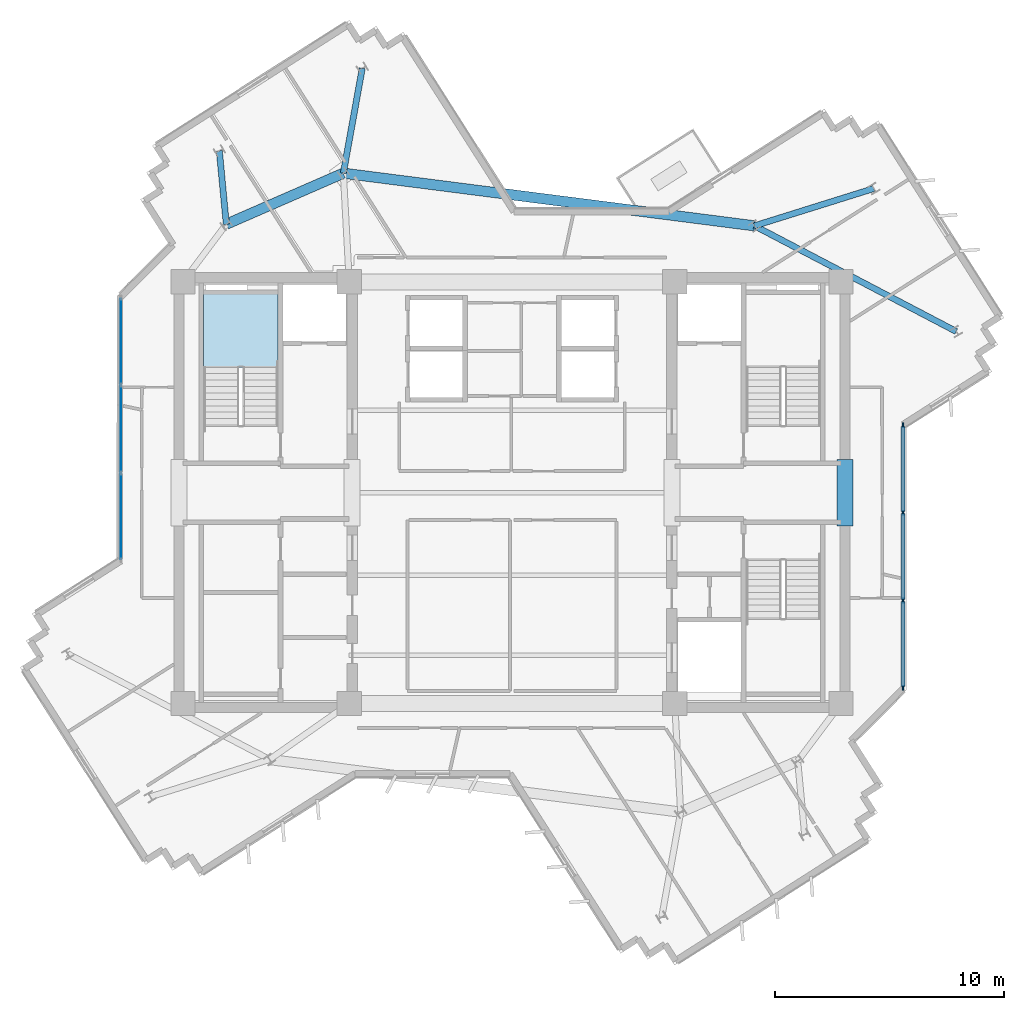
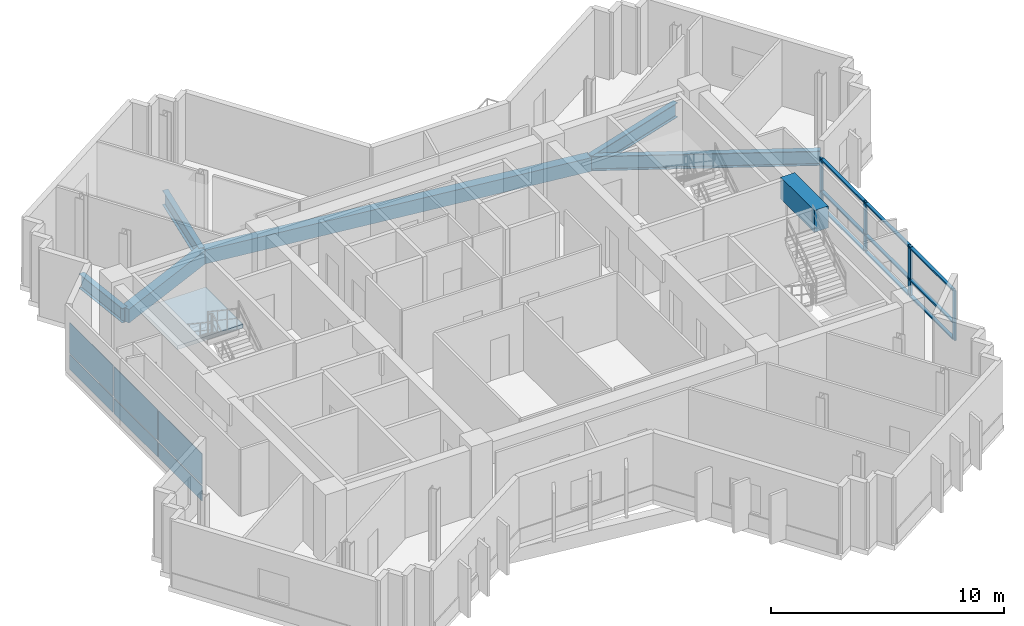
# One storey, part 3 of 12: 13 members, 7 beams, 6 plates, 1 slab, 3 elements without a shape of their own.
"""IFC4 building model written with IfcOpenShell, lengths in metres."""

from ifc_helpers import new_model, si_unit, direction, frame, origin, origin_2d, place, context, subcontext, project, spatial, polyline, rectangle, i_section, outline, extrude, source, transform, mapped, material, layer, layer_set, material_profile, profile_set, type_object, element, aggregate, save


model = new_model("IFC4")

# Units and contexts
model_context = context("Model", 3, precision=1e-05, world=origin(), true_north=direction((0.0, 1.0)))
body_context = subcontext(model_context, "Body", "Model", "MODEL_VIEW")
ifc_project = project(units=[si_unit("LENGTHUNIT", "METRE"), si_unit("AREAUNIT", "SQUARE_METRE"), si_unit("VOLUMEUNIT", "CUBIC_METRE"), si_unit("PLANEANGLEUNIT", "RADIAN"), si_unit("MASSUNIT", "GRAM", prefix="KILO")], contexts=[model_context])

# Site, building, storey
site_placement = place(None, origin())
site = spatial("IfcSite", under=ifc_project, at=site_placement, CompositionType="ELEMENT")
building_placement = place(site_placement, origin())
building = spatial("IfcBuilding", under=site, at=building_placement, Name="Zahravan Cultural Tower", CompositionType="ELEMENT")
storey_placement = place(building_placement, frame((0.0, 0.0, 269.10009765625)))
storey = spatial("IfcBuildingStorey", under=building, at=storey_placement, Name="L64", CompositionType="ELEMENT", Elevation=269.10009765625)

# Beams
ifc_material_1 = material(Name="Concrete C50/60", Category="concrete")
ifc_material_profile_1 = material_profile(ifc_material_1, rectangle(XDim=0.699951171875, YDim=1.14990234375, at=origin_2d()), Name="RC700X1150")
ifc_profile_set_1 = profile_set([ifc_material_profile_1], Name="Concrete C50/60")
beam_type_1 = type_object("IfcBeamType", Name="BM-LN-RC700X1150", PredefinedType="LINTEL", material=ifc_profile_set_1)
shared_shape_1 = source(origin(), body_context, "Body", "SweptSolid", [
    extrude(rectangle(XDim=0.699951171875, YDim=1.14990234375, at=origin_2d()), origin(), (0.0, 0.0, 1.0), 2.89990234375),
])
beam_1_placement = place(storey_placement, frame((50.52490234375, 25.550048828125, 2.9248046875), z_axis=(0.0, 1.0, 0.0), x_axis=(-1.0, 0.0, 0.0)))
element("IfcBeam", 1, at=beam_1_placement, inside=storey, type_object=beam_type_1, Name="L64 Beam LN-L64-PEE", PredefinedType="LINTEL", context=body_context, shape_type="MappedRepresentation", body=[
    mapped(shared_shape_1, transform((0.0, 0.0, 0.0), x_axis=(1.0, 0.0, 0.0), y_axis=(0.0, 1.0, 0.0), z_axis=(0.0, 0.0, 1.0), scale=1.0)),
])
ifc_material_2 = material(Name="Steel ASTM A992 Grade 50", Category="steel")
ifc_material_profile_2 = material_profile(ifc_material_2, i_section(OverallWidth=0.26708984375, OverallDepth=0.761962890625, WebThickness=0.014404296875, FlangeThickness=0.021484375, FilletRadius=0.01904296875, at=origin_2d()), Name="W30X116")
ifc_profile_set_2 = profile_set([ifc_material_profile_2], Name="Steel ASTM A992 Grade 50")
beam_type_2 = type_object("IfcBeamType", Name="BM-G-W30X116", PredefinedType="BEAM", material=ifc_profile_set_2)
shared_shape_2 = source(origin(), body_context, "Body", "SweptSolid", [
    extrude(i_section(OverallWidth=0.26708984375, OverallDepth=0.761962890625, WebThickness=0.014404296875, FlangeThickness=0.021484375, FilletRadius=0.01904296875, at=origin_2d()), origin(), (0.0, 0.0, 1.0), 9.935791015625),
])
beam_2_placement = place(storey_placement, frame((46.577880859375, 38.640625, -0.631103515625), z_axis=(0.885932031042, -0.463815088558, 0.0), x_axis=(0.463815088558, 0.885932031042, 0.0)))
element("IfcBeam", 2, at=beam_2_placement, inside=storey, type_object=beam_type_2, Name="L64 Beam BG-L64-12", PredefinedType="BEAM", context=body_context, shape_type="MappedRepresentation", body=[
    mapped(shared_shape_2, transform((0.0, 0.0, 0.0), x_axis=(1.0, 0.0, 0.0), y_axis=(0.0, 1.0, 0.0), z_axis=(0.0, 0.0, 1.0), scale=1.0)),
])
shared_shape_3 = source(origin(), body_context, "Body", "SweptSolid", [
    extrude(i_section(OverallWidth=0.26708984375, OverallDepth=0.761962890625, WebThickness=0.014404296875, FlangeThickness=0.021484375, FilletRadius=0.01904296875, at=origin_2d()), origin(), (0.0, 0.0, 1.0), 5.450927734375),
])
beam_3_placement = place(storey_placement, frame((46.577880859375, 38.640625, -0.631103515625), z_axis=(0.954416996605, 0.298476459025, 0.0), x_axis=(-0.298476459025, 0.954416996605, 0.0)))
element("IfcBeam", 3, at=beam_3_placement, inside=storey, type_object=beam_type_2, Name="L64 Beam BG-L64-13", PredefinedType="BEAM", context=body_context, shape_type="MappedRepresentation", body=[
    mapped(shared_shape_3, transform((0.0, 0.0, 0.0), x_axis=(1.0, 0.0, 0.0), y_axis=(0.0, 1.0, 0.0), z_axis=(0.0, 0.0, 1.0), scale=1.0)),
])
shared_shape_4 = source(origin(), body_context, "Body", "SweptSolid", [
    extrude(i_section(OverallWidth=0.26708984375, OverallDepth=0.761962890625, WebThickness=0.014404296875, FlangeThickness=0.021484375, FilletRadius=0.01904296875, at=origin_2d()), origin(), (0.0, 0.0, 1.0), 4.65087890625),
])
beam_4_placement = place(storey_placement, frame((28.642578125, 40.937255859375, -0.631103515625), z_axis=(0.177425522697, 0.984134230629, 0.0), x_axis=(-0.984134230629, 0.177425522697, 0.0)))
element("IfcBeam", 4, at=beam_4_placement, inside=storey, type_object=beam_type_2, Name="L64 Beam BG-L64-14", PredefinedType="BEAM", context=body_context, shape_type="MappedRepresentation", body=[
    mapped(shared_shape_4, transform((0.0, 0.0, 0.0), x_axis=(1.0, 0.0, 0.0), y_axis=(0.0, 1.0, 0.0), z_axis=(0.0, 0.0, 1.0), scale=1.0)),
])
shared_shape_5 = source(origin(), body_context, "Body", "SweptSolid", [
    extrude(i_section(OverallWidth=0.26708984375, OverallDepth=0.761962890625, WebThickness=0.014404296875, FlangeThickness=0.021484375, FilletRadius=0.01904296875, at=origin_2d()), origin(), (0.0, 0.0, 1.0), 3.218017578125),
])
beam_5_placement = place(storey_placement, frame((23.536376953125, 38.710693359375, -0.631103515625), z_axis=(-0.094454641962, 0.995529166128, 0.0), x_axis=(-0.995529166128, -0.094454641962, 0.0)))
element("IfcBeam", 5, at=beam_5_placement, inside=storey, type_object=beam_type_2, Name="L64 Beam BG-L64-15", PredefinedType="BEAM", context=body_context, shape_type="MappedRepresentation", body=[
    mapped(shared_shape_5, transform((0.0, 0.0, 0.0), x_axis=(1.0, 0.0, 0.0), y_axis=(0.0, 1.0, 0.0), z_axis=(0.0, 0.0, 1.0), scale=1.0)),
])
ifc_material_3 = material(Name="Concrete C45/55", Category="concrete")
ifc_material_profile_3 = material_profile(ifc_material_3, rectangle(XDim=0.449951171875, YDim=0.719970703125, at=origin_2d()), Name="RC450X720")
ifc_profile_set_3 = profile_set([ifc_material_profile_3], Name="Concrete C45/55")
beam_type_3 = type_object("IfcBeamType", Name="BM-SP-RC450X720", PredefinedType="SPANDREL", material=ifc_profile_set_3)
shared_shape_6 = source(origin(), body_context, "Body", "SweptSolid", [
    extrude(rectangle(XDim=0.449951171875, YDim=0.719970703125, at=origin_2d()), origin(), (0.0, 0.0, 1.0), 18.081787109375),
])
beam_6_placement = place(storey_placement, frame((46.577880859375, 38.640625, -0.610107421875), z_axis=(-0.991900954377, 0.127013765812, 0.0), x_axis=(-0.127013765812, -0.991900954377, 0.0)))
element("IfcBeam", 6, at=beam_6_placement, inside=storey, type_object=beam_type_3, Name="L64 Beam SP-L64-22", PredefinedType="SPANDREL", context=body_context, shape_type="MappedRepresentation", body=[
    mapped(shared_shape_6, transform((0.0, 0.0, 0.0), x_axis=(1.0, 0.0, 0.0), y_axis=(0.0, 1.0, 0.0), z_axis=(0.0, 0.0, 1.0), scale=1.0)),
])
shared_shape_7 = source(origin(), body_context, "Body", "SweptSolid", [
    extrude(rectangle(XDim=0.449951171875, YDim=0.719970703125, at=origin_2d()), origin(), (0.0, 0.0, 1.0), 5.570556640625),
])
beam_7_placement = place(storey_placement, frame((28.642578125, 40.937255859375, -0.610107421875), z_axis=(-0.9166445026, -0.399703459896, 0.0), x_axis=(0.399703459896, -0.9166445026, 0.0)))
element("IfcBeam", 7, at=beam_7_placement, inside=storey, type_object=beam_type_3, Name="L64 Beam SP-L64-23", PredefinedType="SPANDREL", context=body_context, shape_type="MappedRepresentation", body=[
    mapped(shared_shape_7, transform((0.0, 0.0, 0.0), x_axis=(1.0, 0.0, 0.0), y_axis=(0.0, 1.0, 0.0), z_axis=(0.0, 0.0, 1.0), scale=1.0)),
])

# Curtain wall, members
ifc_material_4 = material(Name="Anodised bronze-aluminium mullion", Category="aluminium")
ifc_layer_1 = layer(ifc_material_4, 0.219970703125)
ifc_layer_set_1 = layer_set([ifc_layer_1], Name="Anodised bronze-aluminium mullion")
curtain_wall_type_1 = type_object("IfcCurtainWallType", Name="CW-SYS-1", PredefinedType="USERDEFINED", material=ifc_layer_set_1)
curtain_wall_1_placement = place(storey_placement, origin())
curtain_wall_1 = element("IfcCurtainWall", 8, at=curtain_wall_1_placement, inside=storey, type_object=curtain_wall_type_1, Name="L64 Recessed Curtain Wall CW-1.1", ObjectType="RECESSED GLAZING", PredefinedType="USERDEFINED")
ifc_material_profile_4 = material_profile(ifc_material_4, rectangle(XDim=0.080078125, YDim=0.219970703125, at=origin_2d()), Name="AL-M80X220")
ifc_profile_set_4 = profile_set([ifc_material_profile_4], Name="Anodised bronze-aluminium mullion")
member_type_1 = type_object("IfcMemberType", Name="CWM-CW-1", PredefinedType="MULLION", material=ifc_profile_set_4)
shared_shape_8 = source(origin(), body_context, "Body", "SweptSolid", [
    extrude(rectangle(XDim=0.080078125, YDim=0.219970703125, at=origin_2d()), origin(), (0.0, 0.0, 1.0), 2.619873046875),
])
member_1_placement = place(storey_placement, frame((53.06005859375, 29.931640625, 0.0), z_axis=(0.0, 0.0, 1.0), x_axis=(1.0, 0.0, 0.0)))
member_1 = element("IfcMember", 9, at=member_1_placement, type_object=member_type_1, Name="CW-1 mullion 1", PredefinedType="MULLION", context=body_context, shape_type="MappedRepresentation", body=[
    mapped(shared_shape_8, transform((0.0, 0.0, 0.0), x_axis=(1.0, 0.0, 0.0), y_axis=(0.0, 1.0, 0.0), z_axis=(0.0, 0.0, 1.0), scale=1.0)),
])
member_2_placement = place(storey_placement, frame((53.06005859375, 26.1337890625, 0.0), z_axis=(0.0, 0.0, 1.0), x_axis=(1.0, 0.0, 0.0)))
member_2 = element("IfcMember", 10, at=member_2_placement, type_object=member_type_1, Name="CW-1 mullion 2", PredefinedType="MULLION", context=body_context, shape_type="MappedRepresentation", body=[
    mapped(shared_shape_8, transform((0.0, 0.0, 0.0), x_axis=(1.0, 0.0, 0.0), y_axis=(0.0, 1.0, 0.0), z_axis=(0.0, 0.0, 1.0), scale=1.0)),
])
member_3_placement = place(storey_placement, frame((53.06005859375, 22.2958984375, 0.0), z_axis=(0.0, 0.0, 1.0), x_axis=(1.0, 0.0, 0.0)))
member_3 = element("IfcMember", 11, at=member_3_placement, type_object=member_type_1, Name="CW-1 mullion 3", PredefinedType="MULLION", context=body_context, shape_type="MappedRepresentation", body=[
    mapped(shared_shape_8, transform((0.0, 0.0, 0.0), x_axis=(1.0, 0.0, 0.0), y_axis=(0.0, 1.0, 0.0), z_axis=(0.0, 0.0, 1.0), scale=1.0)),
])
member_4_placement = place(storey_placement, frame((53.06005859375, 18.498046875, 0.0), z_axis=(0.0, 0.0, 1.0), x_axis=(1.0, 0.0, 0.0)))
member_4 = element("IfcMember", 12, at=member_4_placement, type_object=member_type_1, Name="CW-1 mullion 4", PredefinedType="MULLION", context=body_context, shape_type="MappedRepresentation", body=[
    mapped(shared_shape_8, transform((0.0, 0.0, 0.0), x_axis=(1.0, 0.0, 0.0), y_axis=(0.0, 1.0, 0.0), z_axis=(0.0, 0.0, 1.0), scale=1.0)),
])
ifc_material_profile_5 = material_profile(ifc_material_4, rectangle(XDim=0.159912109375, YDim=0.080078125, at=origin_2d()), Name="AL-T80X160")
ifc_profile_set_5 = profile_set([ifc_material_profile_5], Name="Anodised bronze-aluminium mullion")
member_type_2 = type_object("IfcMemberType", Name="CWT-CW-1", PredefinedType="USERDEFINED", material=ifc_profile_set_5)
shared_shape_9 = source(origin(), body_context, "Body", "SweptSolid", [
    extrude(rectangle(XDim=0.159912109375, YDim=0.080078125, at=origin_2d()), origin(), (0.0, 0.0, 1.0), 3.7177734375),
])
member_5_placement = place(storey_placement, frame((53.06005859375, 29.8916015625, 0.039794921875), z_axis=(0.0, -1.0, 0.0), x_axis=(1.0, 0.0, 0.0)))
member_5 = element("IfcMember", 13, at=member_5_placement, type_object=member_type_2, Name="CW-1 transom 1.1", ObjectType="TRANSOM", PredefinedType="USERDEFINED", context=body_context, shape_type="MappedRepresentation", body=[
    mapped(shared_shape_9, transform((0.0, 0.0, 0.0), x_axis=(1.0, 0.0, 0.0), y_axis=(0.0, 1.0, 0.0), z_axis=(0.0, 0.0, 1.0), scale=1.0)),
])
member_6_placement = place(storey_placement, frame((53.06005859375, 29.8916015625, 0.89990234375), z_axis=(0.0, -1.0, 0.0), x_axis=(1.0, 0.0, 0.0)))
member_6 = element("IfcMember", 14, at=member_6_placement, type_object=member_type_2, Name="CW-1 transom 1.2", ObjectType="TRANSOM", PredefinedType="USERDEFINED", context=body_context, shape_type="MappedRepresentation", body=[
    mapped(shared_shape_9, transform((0.0, 0.0, 0.0), x_axis=(1.0, 0.0, 0.0), y_axis=(0.0, 1.0, 0.0), z_axis=(0.0, 0.0, 1.0), scale=1.0)),
])
member_7_placement = place(storey_placement, frame((53.06005859375, 29.8916015625, 2.579833984375), z_axis=(0.0, -1.0, 0.0), x_axis=(1.0, 0.0, 0.0)))
member_7 = element("IfcMember", 15, at=member_7_placement, type_object=member_type_2, Name="CW-1 transom 1.3", ObjectType="TRANSOM", PredefinedType="USERDEFINED", context=body_context, shape_type="MappedRepresentation", body=[
    mapped(shared_shape_9, transform((0.0, 0.0, 0.0), x_axis=(1.0, 0.0, 0.0), y_axis=(0.0, 1.0, 0.0), z_axis=(0.0, 0.0, 1.0), scale=1.0)),
])
member_8_placement = place(storey_placement, frame((53.06005859375, 22.255859375, 0.039794921875), z_axis=(0.0, -1.0, 0.0), x_axis=(1.0, 0.0, 0.0)))
member_8 = element("IfcMember", 16, at=member_8_placement, type_object=member_type_2, Name="CW-1 transom 3.1", ObjectType="TRANSOM", PredefinedType="USERDEFINED", context=body_context, shape_type="MappedRepresentation", body=[
    mapped(shared_shape_9, transform((0.0, 0.0, 0.0), x_axis=(1.0, 0.0, 0.0), y_axis=(0.0, 1.0, 0.0), z_axis=(0.0, 0.0, 1.0), scale=1.0)),
])
member_9_placement = place(storey_placement, frame((53.06005859375, 22.255859375, 0.89990234375), z_axis=(0.0, -1.0, 0.0), x_axis=(1.0, 0.0, 0.0)))
member_9 = element("IfcMember", 17, at=member_9_placement, type_object=member_type_2, Name="CW-1 transom 3.2", ObjectType="TRANSOM", PredefinedType="USERDEFINED", context=body_context, shape_type="MappedRepresentation", body=[
    mapped(shared_shape_9, transform((0.0, 0.0, 0.0), x_axis=(1.0, 0.0, 0.0), y_axis=(0.0, 1.0, 0.0), z_axis=(0.0, 0.0, 1.0), scale=1.0)),
])
member_10_placement = place(storey_placement, frame((53.06005859375, 22.255859375, 2.579833984375), z_axis=(0.0, -1.0, 0.0), x_axis=(1.0, 0.0, 0.0)))
member_10 = element("IfcMember", 18, at=member_10_placement, type_object=member_type_2, Name="CW-1 transom 3.3", ObjectType="TRANSOM", PredefinedType="USERDEFINED", context=body_context, shape_type="MappedRepresentation", body=[
    mapped(shared_shape_9, transform((0.0, 0.0, 0.0), x_axis=(1.0, 0.0, 0.0), y_axis=(0.0, 1.0, 0.0), z_axis=(0.0, 0.0, 1.0), scale=1.0)),
])
shared_shape_10 = source(origin(), body_context, "Body", "SweptSolid", [
    extrude(rectangle(XDim=0.159912109375, YDim=0.080078125, at=origin_2d()), origin(), (0.0, 0.0, 1.0), 3.7578125),
])
member_11_placement = place(storey_placement, frame((53.06005859375, 26.09375, 0.039794921875), z_axis=(0.0, -1.0, 0.0), x_axis=(1.0, 0.0, 0.0)))
member_11 = element("IfcMember", 19, at=member_11_placement, type_object=member_type_2, Name="CW-1 transom 2.1", ObjectType="TRANSOM", PredefinedType="USERDEFINED", context=body_context, shape_type="MappedRepresentation", body=[
    mapped(shared_shape_10, transform((0.0, 0.0, 0.0), x_axis=(1.0, 0.0, 0.0), y_axis=(0.0, 1.0, 0.0), z_axis=(0.0, 0.0, 1.0), scale=1.0)),
])
member_12_placement = place(storey_placement, frame((53.06005859375, 26.09375, 0.89990234375), z_axis=(0.0, -1.0, 0.0), x_axis=(1.0, 0.0, 0.0)))
member_12 = element("IfcMember", 20, at=member_12_placement, type_object=member_type_2, Name="CW-1 transom 2.2", ObjectType="TRANSOM", PredefinedType="USERDEFINED", context=body_context, shape_type="MappedRepresentation", body=[
    mapped(shared_shape_10, transform((0.0, 0.0, 0.0), x_axis=(1.0, 0.0, 0.0), y_axis=(0.0, 1.0, 0.0), z_axis=(0.0, 0.0, 1.0), scale=1.0)),
])
member_13_placement = place(storey_placement, frame((53.06005859375, 26.09375, 2.579833984375), z_axis=(0.0, -1.0, 0.0), x_axis=(1.0, 0.0, 0.0)))
member_13 = element("IfcMember", 21, at=member_13_placement, type_object=member_type_2, Name="CW-1 transom 2.3", ObjectType="TRANSOM", PredefinedType="USERDEFINED", context=body_context, shape_type="MappedRepresentation", body=[
    mapped(shared_shape_10, transform((0.0, 0.0, 0.0), x_axis=(1.0, 0.0, 0.0), y_axis=(0.0, 1.0, 0.0), z_axis=(0.0, 0.0, 1.0), scale=1.0)),
])
aggregate(curtain_wall_1, [member_1, member_2, member_3, member_4, member_5, member_6, member_7, member_11, member_12, member_13, member_8, member_9, member_10])

# Stair, slab
stair_type = type_object("IfcStairType", Name="STR-DL-1550-375", PredefinedType="HALF_TURN_STAIR", material=ifc_material_3)
stair_placement = place(storey_placement, origin())
stair = element("IfcStair", 22, at=stair_placement, inside=storey, type_object=stair_type, Name="L64 West Core North Exit Stair ST-W1", PredefinedType="HALF_TURN_STAIR")
ifc_layer_2 = layer(ifc_material_3, 0.199951171875)
ifc_layer_set_2 = layer_set([ifc_layer_2], Name="Concrete C45/55")
slab_type = type_object("IfcSlabType", Name="SL-STAIR-LND200", PredefinedType="LANDING", material=ifc_layer_set_2)
slab_placement = place(storey_placement, frame((0.0, 0.0, 1.6748046875)))
slab = element("IfcSlab", 23, at=slab_placement, type_object=slab_type, Name="ST-W1 landing 1", PredefinedType="LANDING", context=body_context, shape_type="SweptSolid", body=[
    extrude(outline(polyline([(25.800048828125, 32.469970703125), (25.800048828125, 35.699951171875), (22.550048828125, 35.699951171875), (22.550048828125, 32.469970703125), (25.800048828125, 32.469970703125)])), origin(), (0.0, 0.0, 1.0), 0.2001953125),
])
aggregate(stair, [slab])

# Curtain wall, plates
ifc_layer_3 = layer(ifc_material_4, 0.199951171875)
ifc_layer_set_3 = layer_set([ifc_layer_3], Name="Anodised bronze-aluminium mullion")
curtain_wall_type_2 = type_object("IfcCurtainWallType", Name="CW-SYS-2", PredefinedType="USERDEFINED", material=ifc_layer_set_3)
curtain_wall_2_placement = place(storey_placement, origin())
curtain_wall_2 = element("IfcCurtainWall", 24, at=curtain_wall_2_placement, inside=storey, type_object=curtain_wall_type_2, Name="L64 Recessed Curtain Wall CW-2.2", ObjectType="RECESSED GLAZING", PredefinedType="USERDEFINED")
ifc_material_5 = material(Name="Low-E solar-control double glazing", Category="glass")
ifc_layer_4 = layer(ifc_material_5, 0.030029296875)
ifc_layer_set_4 = layer_set([ifc_layer_4], Name="Low-E solar-control double glazing")
plate_type = type_object("IfcPlateType", Name="CWP-CW-2", PredefinedType="CURTAIN_PANEL", material=ifc_layer_set_4)
shared_shape_11 = source(origin(), body_context, "Body", "SweptSolid", [
    extrude(rectangle(XDim=3.725341796875, YDim=0.030029296875, at=origin_2d()), origin(), (0.0, 0.0, 1.0), 0.78759765625),
])
plate_1_placement = place(storey_placement, frame((18.93994140625, 25.966064453125, 0.074951171875), z_axis=(0.0, 0.0, 1.0), x_axis=(0.0, 1.0, 0.0)))
plate_1 = element("IfcPlate", 25, at=plate_1_placement, type_object=plate_type, Name="CW-2 panel 1.1", PredefinedType="CURTAIN_PANEL", context=body_context, shape_type="MappedRepresentation", body=[
    mapped(shared_shape_11, transform((0.0, 0.0, 0.0), x_axis=(1.0, 0.0, 0.0), y_axis=(0.0, 1.0, 0.0), z_axis=(0.0, 0.0, 1.0), scale=1.0)),
])
plate_2_placement = place(storey_placement, frame((18.93994140625, 33.604248046875, 0.074951171875), z_axis=(0.0, 0.0, 1.0), x_axis=(0.0, 1.0, 0.0)))
plate_2 = element("IfcPlate", 26, at=plate_2_placement, type_object=plate_type, Name="CW-2 panel 3.1", PredefinedType="CURTAIN_PANEL", context=body_context, shape_type="MappedRepresentation", body=[
    mapped(shared_shape_11, transform((0.0, 0.0, 0.0), x_axis=(1.0, 0.0, 0.0), y_axis=(0.0, 1.0, 0.0), z_axis=(0.0, 0.0, 1.0), scale=1.0)),
])
shared_shape_12 = source(origin(), body_context, "Body", "SweptSolid", [
    extrude(rectangle(XDim=3.725341796875, YDim=0.030029296875, at=origin_2d()), origin(), (0.0, 0.0, 1.0), 1.607421875),
])
plate_3_placement = place(storey_placement, frame((18.93994140625, 25.966064453125, 0.9375), z_axis=(0.0, 0.0, 1.0), x_axis=(0.0, 1.0, 0.0)))
plate_3 = element("IfcPlate", 27, at=plate_3_placement, type_object=plate_type, Name="CW-2 panel 1.2", PredefinedType="CURTAIN_PANEL", context=body_context, shape_type="MappedRepresentation", body=[
    mapped(shared_shape_12, transform((0.0, 0.0, 0.0), x_axis=(1.0, 0.0, 0.0), y_axis=(0.0, 1.0, 0.0), z_axis=(0.0, 0.0, 1.0), scale=1.0)),
])
plate_4_placement = place(storey_placement, frame((18.93994140625, 33.604248046875, 0.9375), z_axis=(0.0, 0.0, 1.0), x_axis=(0.0, 1.0, 0.0)))
plate_4 = element("IfcPlate", 28, at=plate_4_placement, type_object=plate_type, Name="CW-2 panel 3.2", PredefinedType="CURTAIN_PANEL", context=body_context, shape_type="MappedRepresentation", body=[
    mapped(shared_shape_12, transform((0.0, 0.0, 0.0), x_axis=(1.0, 0.0, 0.0), y_axis=(0.0, 1.0, 0.0), z_axis=(0.0, 0.0, 1.0), scale=1.0)),
])
shared_shape_13 = source(origin(), body_context, "Body", "SweptSolid", [
    extrude(rectangle(XDim=3.762939453125, YDim=0.030029296875, at=origin_2d()), origin(), (0.0, 0.0, 1.0), 0.78759765625),
])
plate_5_placement = place(storey_placement, frame((18.93994140625, 29.78515625, 0.074951171875), z_axis=(0.0, 0.0, 1.0), x_axis=(0.0, 1.0, 0.0)))
plate_5 = element("IfcPlate", 29, at=plate_5_placement, type_object=plate_type, Name="CW-2 panel 2.1", PredefinedType="CURTAIN_PANEL", context=body_context, shape_type="MappedRepresentation", body=[
    mapped(shared_shape_13, transform((0.0, 0.0, 0.0), x_axis=(1.0, 0.0, 0.0), y_axis=(0.0, 1.0, 0.0), z_axis=(0.0, 0.0, 1.0), scale=1.0)),
])
shared_shape_14 = source(origin(), body_context, "Body", "SweptSolid", [
    extrude(rectangle(XDim=3.762939453125, YDim=0.030029296875, at=origin_2d()), origin(), (0.0, 0.0, 1.0), 1.607421875),
])
plate_6_placement = place(storey_placement, frame((18.93994140625, 29.78515625, 0.9375), z_axis=(0.0, 0.0, 1.0), x_axis=(0.0, 1.0, 0.0)))
plate_6 = element("IfcPlate", 30, at=plate_6_placement, type_object=plate_type, Name="CW-2 panel 2.2", PredefinedType="CURTAIN_PANEL", context=body_context, shape_type="MappedRepresentation", body=[
    mapped(shared_shape_14, transform((0.0, 0.0, 0.0), x_axis=(1.0, 0.0, 0.0), y_axis=(0.0, 1.0, 0.0), z_axis=(0.0, 0.0, 1.0), scale=1.0)),
])
aggregate(curtain_wall_2, [plate_1, plate_3, plate_5, plate_6, plate_2, plate_4])

save(model, "model.ifc")
